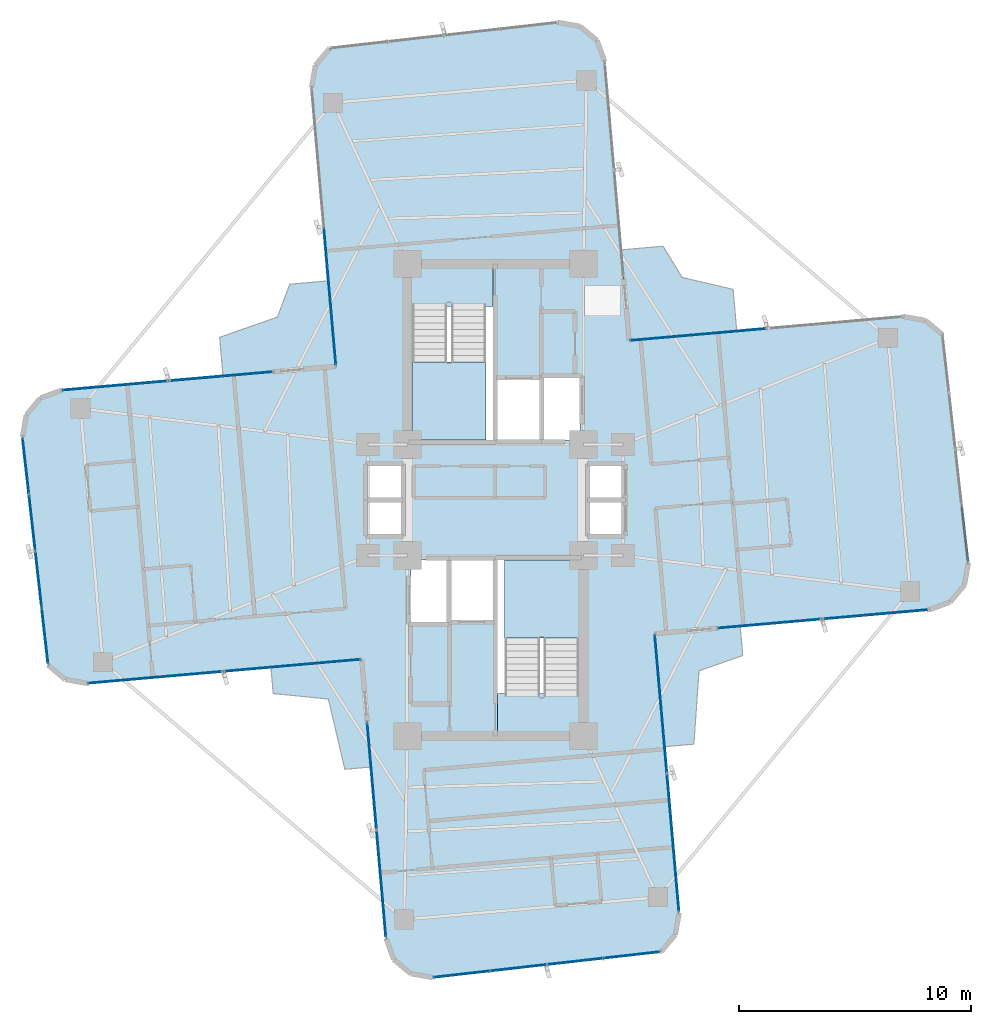
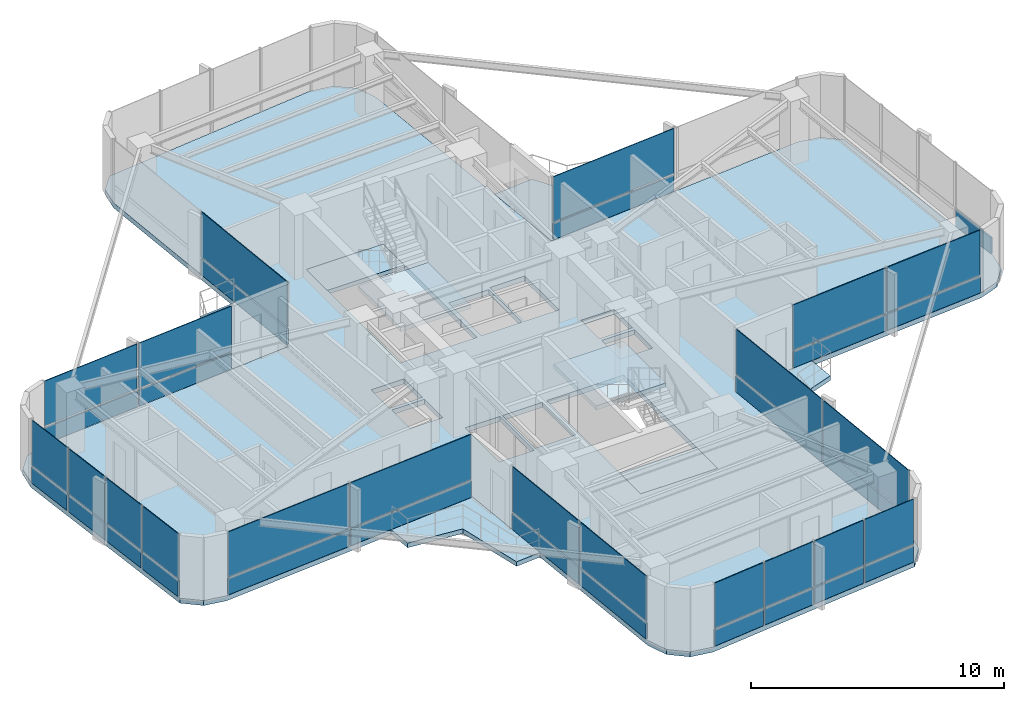
# One storey, part 19 of 24: 41 plates, 9 slabs, 12 elements without a shape of their own.
"""IFC4 building model written with IfcOpenShell, lengths in metres."""

import ifcopenshell
import ifcopenshell.guid

model = None  # the IFC model being written
_history = None  # IfcOwnerHistory: only IFC2X3 demands one
_inside = {}  # id of a spatial element -> (the spatial element, [elements in it])
_under = {}  # id of a project, library or spatial element -> (it, [spatial elements below it])
_declared = {}  # id of a project -> (the project, [libraries it declares])
_typed = {}  # id of a type object -> (the type object, [elements of that type])
_made_of = {}  # id of a material, layer set ... -> (it, [elements and type objects made of it])


def new_model(schema):
    """Start an empty IFC model of exactly this schema.

    Asked for "IFC4X3", IfcOpenShell would pick the latest addendum, in which some entities
    have other attributes; the version numbers below select the first issue.
    IFC2X3 requires an IfcOwnerHistory on every rooted entity: one is made here for all.
    """
    global model, _history
    if schema == "IFC4X3":
        model = ifcopenshell.file(schema_version=(4, 3, 0, 0))
    else:
        model = ifcopenshell.file(schema=schema)
    _inside.clear()
    _under.clear()
    _declared.clear()
    _typed.clear()
    _made_of.clear()
    _history = None
    if model.schema == "IFC2X3":
        org = make("IfcOrganization", Name="unknown")
        user = make(
            "IfcPersonAndOrganization",
            ThePerson=make("IfcPerson", FamilyName="unknown"),
            TheOrganization=org,
        )
        app = make(
            "IfcApplication",
            ApplicationDeveloper=org,
            Version="unknown",
            ApplicationFullName="unknown",
            ApplicationIdentifier="unknown",
        )
        _history = make(
            "IfcOwnerHistory",
            OwningUser=user,
            OwningApplication=app,
            ChangeAction="ADDED",
            CreationDate=0,
        )
    return model


def make(cls, **values):
    """One entity of the class cls with the attributes given. An attribute that is None is left unset."""
    return model.create_entity(
        cls, **{name: value for name, value in values.items() if value is not None}
    )


def rooted(cls, **values):
    """An entity with a GlobalId (a new one), such as an element, a storey or a relation."""
    return make(cls, GlobalId=ifcopenshell.guid.new(), OwnerHistory=_history, **values)


def si_unit(unit_type, name, prefix=None):
    """IfcSIUnit, for example si_unit("LENGTHUNIT", "METRE", prefix="MILLI")."""
    return make("IfcSIUnit", UnitType=unit_type, Prefix=prefix, Name=name)


def assignment(units):
    """IfcUnitAssignment: the units of a project."""
    return None if units is None else make("IfcUnitAssignment", Units=units)


def point(xyz):
    """IfcCartesianPoint."""
    return None if xyz is None else make("IfcCartesianPoint", Coordinates=xyz)


def direction(xyz):
    """IfcDirection."""
    return None if xyz is None else make("IfcDirection", DirectionRatios=xyz)


def frame(location, z_axis=None, x_axis=None):
    """IfcAxis2Placement3D, a coordinate frame: its origin and axes. An axis left out is left unset."""
    return make(
        "IfcAxis2Placement3D",
        Location=point(location),
        Axis=direction(z_axis),
        RefDirection=direction(x_axis),
    )


def frame_2d(location, x_axis=None):
    """IfcAxis2Placement2D, a coordinate frame in the plane: its origin and x axis."""
    return make(
        "IfcAxis2Placement2D", Location=point(location), RefDirection=direction(x_axis)
    )


def origin():
    """The frame at (0, 0, 0) with its axes left unset."""
    return frame((0.0, 0.0, 0.0))


def origin_2d():
    """The frame at (0, 0) in the plane with its x axis left unset."""
    return frame_2d((0.0, 0.0))


def place(relative_to, where):
    """IfcLocalPlacement: puts the frame where relative to a parent placement (None: the world)."""
    return make(
        "IfcLocalPlacement", PlacementRelTo=relative_to, RelativePlacement=where
    )


def context(
    kind, dimensions, precision=None, world=None, true_north=None, identifier=None
):
    """IfcGeometricRepresentationContext, for example the 3D "Model" context."""
    return make(
        "IfcGeometricRepresentationContext",
        ContextIdentifier=identifier,
        ContextType=kind,
        CoordinateSpaceDimension=dimensions,
        Precision=precision,
        WorldCoordinateSystem=world,
        TrueNorth=true_north,
    )


def subcontext(parent, identifier, kind, view, scale=None):
    """IfcGeometricRepresentationSubContext, for example "Body" below "Model"."""
    return make(
        "IfcGeometricRepresentationSubContext",
        ContextIdentifier=identifier,
        ContextType=kind,
        ParentContext=parent,
        TargetScale=scale,
        TargetView=view,
    )


def project(units=None, contexts=None):
    """IfcProject with its units and contexts."""
    return rooted(
        "IfcProject",
        Name="project",
        RepresentationContexts=contexts,
        UnitsInContext=assignment(units),
    )


def spatial(cls, under=None, at=None, **own):
    """A site, building, storey or space (cls), placed at a placement, below another one or the project."""
    s = rooted(cls, ObjectPlacement=at, **own)
    if under is not None:
        _under.setdefault(under.id(), (under, []))[1].append(s)
    return s


def polyline(points):
    """IfcPolyline through the points."""
    return make("IfcPolyline", Points=[point(p) for p in points])


def profile(cls, at=None, kind="AREA", **sizes):
    """A parametric profile (cls). Its sizes go by their IFC names, for example OverallWidth=200.0."""
    return make(cls, ProfileType=kind, Position=at, **sizes)


def rectangle(**sizes):
    """IfcRectangleProfileDef."""
    return profile("IfcRectangleProfileDef", **sizes)


def outline(outer, holes=None, kind="AREA"):
    """IfcArbitraryClosedProfileDef: a profile drawn as a closed curve; with holes, ...WithVoids."""
    if holes is None:
        return make("IfcArbitraryClosedProfileDef", ProfileType=kind, OuterCurve=outer)
    return make(
        "IfcArbitraryProfileDefWithVoids",
        ProfileType=kind,
        OuterCurve=outer,
        InnerCurves=holes,
    )


def extrude(swept, where, along, depth):
    """IfcExtrudedAreaSolid: the profile swept, set in the frame where, extruded along a direction by depth."""
    return make(
        "IfcExtrudedAreaSolid",
        SweptArea=swept,
        Position=where,
        ExtrudedDirection=direction(along),
        Depth=depth,
    )


def shape(context_of_items, identifier, shape_type, items):
    """IfcShapeRepresentation: the items that make up one representation, for example the "Body"."""
    return make(
        "IfcShapeRepresentation",
        ContextOfItems=context_of_items,
        RepresentationIdentifier=identifier,
        RepresentationType=shape_type,
        Items=items,
    )


def source(mapping_origin, context_of_items, identifier, shape_type, items):
    """IfcRepresentationMap: a shape defined once, which mapped items show again and again."""
    return make(
        "IfcRepresentationMap",
        MappingOrigin=mapping_origin,
        MappedRepresentation=shape(context_of_items, identifier, shape_type, items),
    )


def transform(
    local_origin,
    x_axis=None,
    y_axis=None,
    z_axis=None,
    scale=None,
    scale2=None,
    scale3=None,
    uniform=True,
):
    """IfcCartesianTransformationOperator3D, or its non-uniform kind. x_axis, y_axis, z_axis: its Axis1, 2, 3."""
    if uniform:
        return make(
            "IfcCartesianTransformationOperator3D",
            Axis1=direction(x_axis),
            Axis2=direction(y_axis),
            LocalOrigin=point(local_origin),
            Scale=scale,
            Axis3=direction(z_axis),
        )
    return make(
        "IfcCartesianTransformationOperator3DnonUniform",
        Axis1=direction(x_axis),
        Axis2=direction(y_axis),
        LocalOrigin=point(local_origin),
        Scale=scale,
        Axis3=direction(z_axis),
        Scale2=scale2,
        Scale3=scale3,
    )


def mapped(mapping_source, mapping_target):
    """IfcMappedItem: shows the shape of a source again, moved by a transform."""
    return make(
        "IfcMappedItem", MappingSource=mapping_source, MappingTarget=mapping_target
    )


def material(Name=None, Category=None):
    """IfcMaterial."""
    return make("IfcMaterial", Name=Name, Category=Category)


def layer(
    of_material, thickness, ventilated=None, Name=None, Category=None, Priority=None
):
    """IfcMaterialLayer: one layer of a wall or slab, of a material (None: an air gap)."""
    return make(
        "IfcMaterialLayer",
        Material=of_material,
        LayerThickness=thickness,
        IsVentilated=ventilated,
        Name=Name,
        Category=Category,
        Priority=Priority,
    )


def layer_set(layers, Name=None):
    """IfcMaterialLayerSet."""
    return make("IfcMaterialLayerSet", MaterialLayers=layers, LayerSetName=Name)


def made_of(thing, what):
    """Note that an element or type object is made of a material, layer set ...; save() writes the relation."""
    if what is not None:
        _made_of.setdefault(what.id(), (what, []))[1].append(thing)
    return thing


def type_object(cls, material=None, **own):
    """A type object (cls), such as IfcWallType, which elements share."""
    return made_of(rooted(cls, **own), material)


def element(
    cls,
    number,
    at=None,
    inside=None,
    cuts=None,
    type_object=None,
    material=None,
    context=None,
    identifier="Body",
    shape_type=None,
    held_by="IfcProductDefinitionShape",
    body=None,
    shapes=None,
    **own,
):
    """One element of the class cls, such as IfcWall. Its Tag is "e" and its number.

    at: its placement. inside: the storey or other place that contains it. cuts: it is an
    opening in that element (IfcRelVoidsElement). A single representation is given by context,
    identifier, shape_type and body (its items); several are given by shapes. held_by: the class
    of the entity that holds the representations. save() writes the other relations.
    """
    e = rooted(cls, Tag="e%d" % number, ObjectPlacement=at, **own)
    if body is not None:
        shapes = [shape(context, identifier, shape_type, body)]
    if shapes is not None:
        e.Representation = make(held_by, Representations=shapes)
    if inside is not None:
        _inside.setdefault(inside.id(), (inside, []))[1].append(e)
    if cuts is not None:
        rooted(
            "IfcRelVoidsElement", RelatingBuildingElement=cuts, RelatedOpeningElement=e
        )
    if type_object is not None:
        _typed.setdefault(type_object.id(), (type_object, []))[1].append(e)
    return made_of(e, material)


def aggregate(whole, parts):
    """IfcRelAggregates: a whole, such as a stair, and the parts it consists of."""
    return rooted("IfcRelAggregates", RelatingObject=whole, RelatedObjects=parts)


def save(model, path):
    """Write the relations noted so far, then the file.

    IfcRelAggregates (storeys below a building ...), IfcRelContainedInSpatialStructure (elements
    in a storey), IfcRelDefinesByType, IfcRelAssociatesMaterial and IfcRelDeclares: one each for
    every whole, place, type object, material and project.
    """
    for whole, parts in _under.values():
        aggregate(whole, parts)
    for where, things in _inside.values():
        rooted(
            "IfcRelContainedInSpatialStructure",
            RelatedElements=things,
            RelatingStructure=where,
        )
    for kind, things in _typed.values():
        rooted("IfcRelDefinesByType", RelatedObjects=things, RelatingType=kind)
    for what, things in _made_of.values():
        rooted("IfcRelAssociatesMaterial", RelatedObjects=things, RelatingMaterial=what)
    for by, libraries in _declared.values():
        rooted("IfcRelDeclares", RelatingContext=by, RelatedDefinitions=libraries)
    model.write(path)


model = new_model("IFC4")

# Units and contexts
model_context = context("Model", 3, precision=1e-05, world=origin(), true_north=direction((0.0, 1.0)))
body_context = subcontext(model_context, "Body", "Model", "MODEL_VIEW")
ifc_project = project(units=[si_unit("LENGTHUNIT", "METRE"), si_unit("AREAUNIT", "SQUARE_METRE"), si_unit("VOLUMEUNIT", "CUBIC_METRE"), si_unit("PLANEANGLEUNIT", "RADIAN"), si_unit("MASSUNIT", "GRAM", prefix="KILO")], contexts=[model_context])

# Site, building, storey
site_placement = place(None, origin())
site = spatial("IfcSite", under=ifc_project, at=site_placement, CompositionType="ELEMENT")
building_placement = place(site_placement, origin())
building = spatial("IfcBuilding", under=site, at=building_placement, Name="Sahyath Konkavel Grand Hotel", CompositionType="ELEMENT")
storey_placement = place(building_placement, frame((0.0, 0.0, 147.25)))
storey = spatial("IfcBuildingStorey", under=building, at=storey_placement, Name="L40", CompositionType="ELEMENT", Elevation=147.25)

# Slabs
ifc_material_1 = material(Name="Concrete C40/50", Category="concrete")
ifc_layer_1 = layer(ifc_material_1, 0.239990234375)
ifc_layer_set_1 = layer_set([ifc_layer_1], Name="Concrete C40/50")
slab_type_1 = type_object("IfcSlabType", Name="SLB-240", PredefinedType="FLOOR", material=ifc_layer_set_1)
slab_1_placement = place(storey_placement, frame((0.0, 0.0, -0.239990234375)))
element("IfcSlab", 1, at=slab_1_placement, inside=storey, type_object=slab_type_1, Name="L40 Structural Floor Slab", PredefinedType="FLOOR", context=body_context, shape_type="SweptSolid", body=[
    extrude(outline(polyline([(6.87939453125, -5.7724609375), (18.73388671875, -4.735107421875), (19.6337890625, -4.40771484375), (20.24951171875, -3.674072265625), (20.415771484375, -2.73095703125), (19.3037109375, 7.134521484375), (18.5703125, 7.75), (17.627197265625, 7.91650390625), (5.7724609375, 6.87939453125), (4.7177734375, 18.93310546875), (4.390380859375, 19.8330078125), (3.65673828125, 20.44873046875), (2.713623046875, 20.614990234375), (-7.152099609375, 19.5029296875), (-7.767578125, 18.769287109375), (-7.933837890625, 17.826416015625), (-6.87939453125, 5.7724609375), (-18.73388671875, 4.735107421875), (-19.6337890625, 4.40771484375), (-20.24951171875, 3.674072265625), (-20.415771484375, 2.73095703125), (-19.3037109375, -7.134521484375), (-18.5703125, -7.75), (-17.627197265625, -7.91650390625), (-5.7724609375, -6.87939453125), (-4.7177734375, -18.93310546875), (-4.390380859375, -19.8330078125), (-3.65673828125, -20.44873046875), (-2.713623046875, -20.614990234375), (7.152099609375, -19.5029296875), (7.767578125, -18.769287109375), (7.933837890625, -17.826416015625), (6.87939453125, -5.7724609375)]), holes=[polyline([(-3.6201171875, 2.580078125), (-0.10009765625, 2.580078125), (-0.10009765625, 10.02001953125), (-3.6201171875, 10.02001953125), (-3.6201171875, 2.580078125)]), polyline([(0.10009765625, -10.02001953125), (3.6201171875, -10.02001953125), (3.6201171875, -2.580078125), (0.10009765625, -2.580078125), (0.10009765625, -10.02001953125)]), polyline([(0.10009765625, 2.60009765625), (1.949951171875, 2.60009765625), (1.949951171875, 5.199951171875), (0.10009765625, 5.199951171875), (0.10009765625, 2.60009765625)]), polyline([(-1.949951171875, -5.199951171875), (-0.10009765625, -5.199951171875), (-0.10009765625, -2.60009765625), (-1.949951171875, -2.60009765625), (-1.949951171875, -5.199951171875)]), polyline([(2.050048828125, 2.60009765625), (3.64990234375, 2.60009765625), (3.64990234375, 5.300048828125), (2.050048828125, 5.300048828125), (2.050048828125, 2.60009765625)]), polyline([(-3.64990234375, -5.300048828125), (-2.050048828125, -5.300048828125), (-2.050048828125, -2.60009765625), (-3.64990234375, -2.60009765625), (-3.64990234375, -5.300048828125)]), polyline([(4.050048828125, 0.080078125), (5.550048828125, 0.080078125), (5.550048828125, 1.5400390625), (4.050048828125, 1.5400390625), (4.050048828125, 0.080078125)]), polyline([(4.050048828125, -1.5400390625), (5.550048828125, -1.5400390625), (5.550048828125, -0.080078125), (4.050048828125, -0.080078125), (4.050048828125, -1.5400390625)]), polyline([(-5.550048828125, 0.080078125), (-4.050048828125, 0.080078125), (-4.050048828125, 1.5400390625), (-5.550048828125, 1.5400390625), (-5.550048828125, 0.080078125)]), polyline([(-5.550048828125, -1.5400390625), (-4.050048828125, -1.5400390625), (-4.050048828125, -0.080078125), (-5.550048828125, -0.080078125), (-5.550048828125, -1.5400390625)])]), origin(), (0.0, 0.0, 1.0), 0.239990234375),
])
ifc_layer_2 = layer(ifc_material_1, 0.219970703125)
ifc_layer_set_2 = layer_set([ifc_layer_2], Name="Concrete C40/50")
slab_type_2 = type_object("IfcSlabType", Name="SLB-BALCONY-220", PredefinedType="FLOOR", material=ifc_layer_set_2)
slab_2_placement = place(storey_placement, frame((0.0, 0.0, -0.219970703125)))
element("IfcSlab", 2, at=slab_2_placement, inside=storey, type_object=slab_type_2, Name="L40 Winter-Garden Balcony NE", PredefinedType="FLOOR", context=body_context, shape_type="SweptSolid", body=[
    extrude(outline(polyline([(5.7724609375, 6.87939453125), (10.420654296875, 7.285888671875), (10.2626953125, 9.0927734375), (8.062255859375, 9.608154296875), (7.236328125, 10.956298828125), (5.429443359375, 10.79833984375), (5.7724609375, 6.87939453125)])), origin(), (0.0, 0.0, 1.0), 0.219970703125),
])
slab_3_placement = place(storey_placement, frame((0.0, 0.0, -0.219970703125)))
element("IfcSlab", 3, at=slab_3_placement, inside=storey, type_object=slab_type_2, Name="L40 Winter-Garden Balcony NW", PredefinedType="FLOOR", context=body_context, shape_type="SweptSolid", body=[
    extrude(outline(polyline([(-6.87939453125, 5.7724609375), (-7.201904296875, 9.461181640625), (-8.87841796875, 9.314697265625), (-9.4111328125, 7.896728515625), (-11.904296875, 7.021728515625), (-11.757568359375, 5.345703125), (-6.87939453125, 5.7724609375)])), origin(), (0.0, 0.0, 1.0), 0.219970703125),
])
slab_4_placement = place(storey_placement, frame((0.0, 0.0, -0.219970703125)))
element("IfcSlab", 4, at=slab_4_placement, inside=storey, type_object=slab_type_2, Name="L40 Winter-Garden Balcony SW", PredefinedType="FLOOR", context=body_context, shape_type="SweptSolid", body=[
    extrude(outline(polyline([(-5.7724609375, -6.87939453125), (-9.69140625, -7.22216796875), (-9.59228515625, -8.356201171875), (-7.209716796875, -8.592041015625), (-6.499755859375, -11.626708984375), (-5.36572265625, -11.527587890625), (-5.7724609375, -6.87939453125)])), origin(), (0.0, 0.0, 1.0), 0.219970703125),
])
slab_5_placement = place(storey_placement, frame((0.0, 0.0, -0.219970703125)))
element("IfcSlab", 5, at=slab_5_placement, inside=storey, type_object=slab_type_2, Name="L40 Winter-Garden Balcony SE", PredefinedType="FLOOR", context=body_context, shape_type="SweptSolid", body=[
    extrude(outline(polyline([(6.87939453125, -5.7724609375), (7.30615234375, -10.65087890625), (8.570556640625, -10.5400390625), (8.789306640625, -7.375), (10.6787109375, -6.714111328125), (10.568115234375, -5.44970703125), (6.87939453125, -5.7724609375)])), origin(), (0.0, 0.0, 1.0), 0.219970703125),
])

# Stair, slab
stair_type = type_object("IfcStairType", Name="STR-ST16-335", PredefinedType="HALF_TURN_STAIR", material=ifc_material_1)
stair_1_placement = place(storey_placement, origin())
stair_1 = element("IfcStair", 6, at=stair_1_placement, inside=storey, type_object=stair_type, Name="L40 North Core Smokeproof Exit Stair ST-1", PredefinedType="HALF_TURN_STAIR")
ifc_layer_3 = layer(ifc_material_1, 0.199951171875)
ifc_layer_set_3 = layer_set([ifc_layer_3], Name="Concrete C40/50")
slab_type_3 = type_object("IfcSlabType", Name="SLB-STAIR-LND", PredefinedType="LANDING", material=ifc_layer_set_3)
slab_6_placement = place(storey_placement, frame((0.0, 0.0, 1.47509765625)))
slab_6 = element("IfcSlab", 7, at=slab_6_placement, type_object=slab_type_3, Name="ST-1 landing 1", PredefinedType="LANDING", context=body_context, shape_type="SweptSolid", body=[
    extrude(outline(polyline([(-3.60009765625, 5.9599609375), (-3.60009765625, 2.60009765625), (-0.39990234375, 2.60009765625), (-0.39990234375, 5.9599609375), (-3.60009765625, 5.9599609375)])), origin(), (0.0, 0.0, 1.0), 0.199951171875),
])
aggregate(stair_1, [slab_6])

stair_2_placement = place(storey_placement, origin())
stair_2 = element("IfcStair", 8, at=stair_2_placement, inside=storey, type_object=stair_type, Name="L40 South Core Smokeproof Exit Stair ST-2", PredefinedType="HALF_TURN_STAIR")
slab_7_placement = place(storey_placement, frame((0.0, 0.0, 1.47509765625)))
slab_7 = element("IfcSlab", 9, at=slab_7_placement, type_object=slab_type_3, Name="ST-2 landing 1", PredefinedType="LANDING", context=body_context, shape_type="SweptSolid", body=[
    extrude(outline(polyline([(3.60009765625, -5.9599609375), (3.60009765625, -2.60009765625), (0.39990234375, -2.60009765625), (0.39990234375, -5.9599609375), (3.60009765625, -5.9599609375)])), origin(), (0.0, 0.0, 1.0), 0.199951171875),
])
aggregate(stair_2, [slab_7])

# Slabs
slab_8_placement = place(storey_placement, frame((0.0, 0.0, -0.199951171875)))
element("IfcSlab", 10, at=slab_8_placement, inside=storey, type_object=slab_type_3, Name="L40 Stair ST-1 Floor Landing Slab", PredefinedType="LANDING", context=body_context, shape_type="SweptSolid", body=[
    extrude(outline(polyline([(-3.6201171875, 8.35009765625), (-0.10009765625, 8.35009765625), (-0.10009765625, 10.02001953125), (-3.6201171875, 10.02001953125), (-3.6201171875, 8.35009765625)])), origin(), (0.0, 0.0, 1.0), 0.199951171875),
])
slab_9_placement = place(storey_placement, frame((0.0, 0.0, -0.199951171875)))
element("IfcSlab", 11, at=slab_9_placement, inside=storey, type_object=slab_type_3, Name="L40 Stair ST-2 Floor Landing Slab", PredefinedType="LANDING", context=body_context, shape_type="SweptSolid", body=[
    extrude(outline(polyline([(0.10009765625, -10.02001953125), (3.6201171875, -10.02001953125), (3.6201171875, -8.35009765625), (0.10009765625, -8.35009765625), (0.10009765625, -10.02001953125)])), origin(), (0.0, 0.0, 1.0), 0.199951171875),
])

# Curtain wall, plates
ifc_material_2 = material(Name="Anodised Bronze Aluminium & Low-E Glazing", Category="aluminium")
curtain_wall_type = type_object("IfcCurtainWallType", Name="CW-ZONE3", PredefinedType="NOTDEFINED", material=ifc_material_2)
curtain_wall_1_placement = place(storey_placement, origin())
curtain_wall_1 = element("IfcCurtainWall", 12, at=curtain_wall_1_placement, inside=storey, type_object=curtain_wall_type, Name="L40 Unitised Curtain Wall F0", PredefinedType="NOTDEFINED")
ifc_material_3 = material(Name="Warm Buff Sandstone Cladding", Category="masonry")
ifc_layer_4 = layer(ifc_material_3, 0.074951171875)
ifc_layer_set_4 = layer_set([ifc_layer_4], Name="Warm Buff Sandstone Cladding")
plate_type_1 = type_object("IfcPlateType", Name="PNL-SPANDREL-STONE", PredefinedType="SHEET", material=ifc_layer_set_4)
shared_shape_1 = source(origin(), body_context, "Body", "SweptSolid", [
    extrude(rectangle(XDim=4.47998046875, YDim=0.074951171875, at=origin_2d()), origin(), (0.0, 0.0, 1.0), 0.77001953125),
])
plate_1_placement = place(storey_placement, frame((11.880126953125, -5.334716796875, 0.0400390625), z_axis=(0.0, 0.0, 1.0), x_axis=(0.996194698092, 0.087155742748, 0.0)))
plate_1 = element("IfcPlate", 13, at=plate_1_placement, type_object=plate_type_1, Name="L40 Sandstone Relief Spandrel Panel F0-0", PredefinedType="SHEET", context=body_context, shape_type="MappedRepresentation", body=[
    mapped(shared_shape_1, transform((0.0, 0.0, 0.0), scale=1.0)),
])
plate_2_placement = place(storey_placement, frame((16.4228515625, -4.9375, 0.0400390625), z_axis=(0.0, 0.0, 1.0), x_axis=(0.996194698092, 0.087155742748, 0.0)))
plate_2 = element("IfcPlate", 14, at=plate_2_placement, type_object=plate_type_1, Name="L40 Sandstone Relief Spandrel Panel F0-1", PredefinedType="SHEET", context=body_context, shape_type="MappedRepresentation", body=[
    mapped(shared_shape_1, transform((0.0, 0.0, 0.0), scale=1.0)),
])

curtain_wall_2_placement = place(storey_placement, origin())
curtain_wall_2 = element("IfcCurtainWall", 15, at=curtain_wall_2_placement, inside=storey, type_object=curtain_wall_type, Name="L40 Unitised Curtain Wall F16", PredefinedType="NOTDEFINED")
plate_3_placement = place(storey_placement, frame((-11.880126953125, 5.334716796875, 0.0400390625), z_axis=(0.0, 0.0, 1.0), x_axis=(-0.996194698092, -0.087155742748, 0.0)))
plate_3 = element("IfcPlate", 16, at=plate_3_placement, type_object=plate_type_1, Name="L40 Sandstone Relief Spandrel Panel F16-0", PredefinedType="SHEET", context=body_context, shape_type="MappedRepresentation", body=[
    mapped(shared_shape_1, transform((0.0, 0.0, 0.0), scale=1.0)),
])
plate_4_placement = place(storey_placement, frame((-16.4228515625, 4.9375, 0.0400390625), z_axis=(0.0, 0.0, 1.0), x_axis=(-0.996194698092, -0.087155742748, 0.0)))
plate_4 = element("IfcPlate", 17, at=plate_4_placement, type_object=plate_type_1, Name="L40 Sandstone Relief Spandrel Panel F16-1", PredefinedType="SHEET", context=body_context, shape_type="MappedRepresentation", body=[
    mapped(shared_shape_1, transform((0.0, 0.0, 0.0), scale=1.0)),
])

# Curtain wall, plate
curtain_wall_3_placement = place(storey_placement, origin())
curtain_wall_3 = element("IfcCurtainWall", 18, at=curtain_wall_3_placement, inside=storey, type_object=curtain_wall_type, Name="L40 Unitised Curtain Wall F4", PredefinedType="NOTDEFINED")
shared_shape_2 = source(origin(), body_context, "Body", "SweptSolid", [
    extrude(rectangle(XDim=2.382080078125, YDim=0.074951171875, at=origin_2d()), origin(), (0.0, 0.0, 1.0), 0.77001953125),
])
plate_5_placement = place(storey_placement, frame((20.2734375, -1.468017578125, 0.0400390625), z_axis=(0.0, 0.0, 1.0), x_axis=(-0.111989252568, 0.993709417943, 0.0)))
plate_5 = element("IfcPlate", 19, at=plate_5_placement, type_object=plate_type_1, Name="L40 Sandstone Relief Spandrel Panel F4-0", PredefinedType="SHEET", context=body_context, shape_type="MappedRepresentation", body=[
    mapped(shared_shape_2, transform((0.0, 0.0, 0.0), scale=1.0)),
])
aggregate(curtain_wall_3, [plate_5])

# Curtain wall, plates
curtain_wall_4_placement = place(storey_placement, origin())
curtain_wall_4 = element("IfcCurtainWall", 20, at=curtain_wall_4_placement, inside=storey, type_object=curtain_wall_type, Name="L40 Unitised Curtain Wall F20", PredefinedType="NOTDEFINED")
plate_6_placement = place(storey_placement, frame((-20.2734375, 1.468017578125, 0.0400390625), z_axis=(0.0, 0.0, 1.0), x_axis=(0.111989252568, -0.993709417943, 0.0)))
plate_6 = element("IfcPlate", 21, at=plate_6_placement, type_object=plate_type_1, Name="L40 Sandstone Relief Spandrel Panel F20-0", PredefinedType="SHEET", context=body_context, shape_type="MappedRepresentation", body=[
    mapped(shared_shape_2, transform((0.0, 0.0, 0.0), scale=1.0)),
])
plate_7_placement = place(storey_placement, frame((-19.99755859375, -0.978515625, 0.0400390625), z_axis=(0.0, 0.0, 1.0), x_axis=(0.111989252568, -0.993709417943, 0.0)))
plate_7 = element("IfcPlate", 22, at=plate_7_placement, type_object=plate_type_1, Name="L40 Sandstone Relief Spandrel Panel F20-1", PredefinedType="SHEET", context=body_context, shape_type="MappedRepresentation", body=[
    mapped(shared_shape_2, transform((0.0, 0.0, 0.0), scale=1.0)),
])
plate_8_placement = place(storey_placement, frame((-19.7216796875, -3.425048828125, 0.0400390625), z_axis=(0.0, 0.0, 1.0), x_axis=(0.111989252568, -0.993709417943, 0.0)))
plate_8 = element("IfcPlate", 23, at=plate_8_placement, type_object=plate_type_1, Name="L40 Sandstone Relief Spandrel Panel F20-2", PredefinedType="SHEET", context=body_context, shape_type="MappedRepresentation", body=[
    mapped(shared_shape_2, transform((0.0, 0.0, 0.0), scale=1.0)),
])
plate_9_placement = place(storey_placement, frame((-19.446044921875, -5.87158203125, 0.0400390625), z_axis=(0.0, 0.0, 1.0), x_axis=(0.111989252568, -0.993709417943, 0.0)))
plate_9 = element("IfcPlate", 24, at=plate_9_placement, type_object=plate_type_1, Name="L40 Sandstone Relief Spandrel Panel F20-3", PredefinedType="SHEET", context=body_context, shape_type="MappedRepresentation", body=[
    mapped(shared_shape_2, transform((0.0, 0.0, 0.0), scale=1.0)),
])

curtain_wall_5_placement = place(storey_placement, origin())
curtain_wall_5 = element("IfcCurtainWall", 25, at=curtain_wall_5_placement, inside=storey, type_object=curtain_wall_type, Name="L40 Unitised Curtain Wall F28", PredefinedType="NOTDEFINED")
plate_10_placement = place(storey_placement, frame((-1.45068359375, -20.47265625, 0.0400390625), z_axis=(0.0, 0.0, 1.0), x_axis=(0.993707463211, 0.112006596052, 0.0)))
plate_10 = element("IfcPlate", 26, at=plate_10_placement, type_object=plate_type_1, Name="L40 Sandstone Relief Spandrel Panel F28-0", PredefinedType="SHEET", context=body_context, shape_type="MappedRepresentation", body=[
    mapped(shared_shape_2, transform((0.0, 0.0, 0.0), scale=1.0)),
])
plate_11_placement = place(storey_placement, frame((0.995849609375, -20.197021484375, 0.0400390625), z_axis=(0.0, 0.0, 1.0), x_axis=(0.993707463211, 0.112006596052, 0.0)))
plate_11 = element("IfcPlate", 27, at=plate_11_placement, type_object=plate_type_1, Name="L40 Sandstone Relief Spandrel Panel F28-1", PredefinedType="SHEET", context=body_context, shape_type="MappedRepresentation", body=[
    mapped(shared_shape_2, transform((0.0, 0.0, 0.0), scale=1.0)),
])
plate_12_placement = place(storey_placement, frame((3.4423828125, -19.921142578125, 0.0400390625), z_axis=(0.0, 0.0, 1.0), x_axis=(0.993707463211, 0.112006596052, 0.0)))
plate_12 = element("IfcPlate", 28, at=plate_12_placement, type_object=plate_type_1, Name="L40 Sandstone Relief Spandrel Panel F28-2", PredefinedType="SHEET", context=body_context, shape_type="MappedRepresentation", body=[
    mapped(shared_shape_2, transform((0.0, 0.0, 0.0), scale=1.0)),
])
plate_13_placement = place(storey_placement, frame((5.888916015625, -19.6455078125, 0.0400390625), z_axis=(0.0, 0.0, 1.0), x_axis=(0.993707463211, 0.112006596052, 0.0)))
plate_13 = element("IfcPlate", 29, at=plate_13_placement, type_object=plate_type_1, Name="L40 Sandstone Relief Spandrel Panel F28-3", PredefinedType="SHEET", context=body_context, shape_type="MappedRepresentation", body=[
    mapped(shared_shape_2, transform((0.0, 0.0, 0.0), scale=1.0)),
])

# Curtain wall, plate
curtain_wall_6_placement = place(storey_placement, origin())
curtain_wall_6 = element("IfcCurtainWall", 30, at=curtain_wall_6_placement, inside=storey, type_object=curtain_wall_type, Name="L40 Unitised Curtain Wall F7", PredefinedType="NOTDEFINED")
shared_shape_3 = source(origin(), body_context, "Body", "SweptSolid", [
    extrude(rectangle(XDim=5.830078125, YDim=0.074951171875, at=origin_2d()), origin(), (0.0, 0.0, 1.0), 0.77001953125),
])
plate_14_placement = place(storey_placement, frame((8.756103515625, 7.140380859375, 0.0400390625), z_axis=(0.0, 0.0, 1.0), x_axis=(-0.996194698092, -0.087155742748, 0.0)))
plate_14 = element("IfcPlate", 31, at=plate_14_placement, type_object=plate_type_1, Name="L40 Sandstone Relief Spandrel Panel F7-1", PredefinedType="SHEET", context=body_context, shape_type="MappedRepresentation", body=[
    mapped(shared_shape_3, transform((0.0, 0.0, 0.0), scale=1.0)),
])

# Curtain wall, plates
curtain_wall_7_placement = place(storey_placement, origin())
curtain_wall_7 = element("IfcCurtainWall", 32, at=curtain_wall_7_placement, inside=storey, type_object=curtain_wall_type, Name="L40 Unitised Curtain Wall F23", PredefinedType="NOTDEFINED")
plate_15_placement = place(storey_placement, frame((-14.6435546875, -7.655517578125, 0.0400390625), z_axis=(0.0, 0.0, 1.0), x_axis=(0.996194698092, 0.087155742748, 0.0)))
plate_15 = element("IfcPlate", 33, at=plate_15_placement, type_object=plate_type_1, Name="L40 Sandstone Relief Spandrel Panel F23-0", PredefinedType="SHEET", context=body_context, shape_type="MappedRepresentation", body=[
    mapped(shared_shape_3, transform((0.0, 0.0, 0.0), scale=1.0)),
])
plate_16_placement = place(storey_placement, frame((-8.756103515625, -7.140380859375, 0.0400390625), z_axis=(0.0, 0.0, 1.0), x_axis=(0.996194698092, 0.087155742748, 0.0)))
plate_16 = element("IfcPlate", 34, at=plate_16_placement, type_object=plate_type_1, Name="L40 Sandstone Relief Spandrel Panel F23-1", PredefinedType="SHEET", context=body_context, shape_type="MappedRepresentation", body=[
    mapped(shared_shape_3, transform((0.0, 0.0, 0.0), scale=1.0)),
])

curtain_wall_8_placement = place(storey_placement, origin())
curtain_wall_8 = element("IfcCurtainWall", 35, at=curtain_wall_8_placement, inside=storey, type_object=curtain_wall_type, Name="L40 Unitised Curtain Wall F24", PredefinedType="NOTDEFINED")
shared_shape_4 = source(origin(), body_context, "Body", "SweptSolid", [
    extrude(rectangle(XDim=4.580078125, YDim=0.074951171875, at=origin_2d()), origin(), (0.0, 0.0, 1.0), 0.77001953125),
])
plate_17_placement = place(storey_placement, frame((-5.33056640625, -11.929931640625, 0.0400390625), z_axis=(0.0, 0.0, 1.0), x_axis=(0.087155742748, -0.996194698092, 0.0)))
plate_17 = element("IfcPlate", 36, at=plate_17_placement, type_object=plate_type_1, Name="L40 Sandstone Relief Spandrel Panel F24-0", PredefinedType="SHEET", context=body_context, shape_type="MappedRepresentation", body=[
    mapped(shared_shape_4, transform((0.0, 0.0, 0.0), scale=1.0)),
])
plate_18_placement = place(storey_placement, frame((-4.92431640625, -16.572265625, 0.0400390625), z_axis=(0.0, 0.0, 1.0), x_axis=(0.087155742748, -0.996194698092, 0.0)))
plate_18 = element("IfcPlate", 37, at=plate_18_placement, type_object=plate_type_1, Name="L40 Sandstone Relief Spandrel Panel F24-1", PredefinedType="SHEET", context=body_context, shape_type="MappedRepresentation", body=[
    mapped(shared_shape_4, transform((0.0, 0.0, 0.0), scale=1.0)),
])

# Curtain wall, plate
curtain_wall_9_placement = place(storey_placement, origin())
curtain_wall_9 = element("IfcCurtainWall", 38, at=curtain_wall_9_placement, inside=storey, type_object=curtain_wall_type, Name="L40 Unitised Curtain Wall F15", PredefinedType="NOTDEFINED")
shared_shape_5 = source(origin(), body_context, "Body", "SweptSolid", [
    extrude(rectangle(XDim=5.929931640625, YDim=0.074951171875, at=origin_2d()), origin(), (0.0, 0.0, 1.0), 0.77001953125),
])
plate_19_placement = place(storey_placement, frame((-7.144775390625, 8.805908203125, 0.0400390625), z_axis=(0.0, 0.0, 1.0), x_axis=(0.087155742748, -0.996194698092, 0.0)))
plate_19 = element("IfcPlate", 39, at=plate_19_placement, type_object=plate_type_1, Name="L40 Sandstone Relief Spandrel Panel F15-1", PredefinedType="SHEET", context=body_context, shape_type="MappedRepresentation", body=[
    mapped(shared_shape_5, transform((0.0, 0.0, 0.0), scale=1.0)),
])

# Curtain wall, plates
curtain_wall_10_placement = place(storey_placement, origin())
curtain_wall_10 = element("IfcCurtainWall", 40, at=curtain_wall_10_placement, inside=storey, type_object=curtain_wall_type, Name="L40 Unitised Curtain Wall F31", PredefinedType="NOTDEFINED")
plate_20_placement = place(storey_placement, frame((7.66845703125, -14.79296875, 0.0400390625), z_axis=(0.0, 0.0, 1.0), x_axis=(-0.087155742748, 0.996194698092, 0.0)))
plate_20 = element("IfcPlate", 41, at=plate_20_placement, type_object=plate_type_1, Name="L40 Sandstone Relief Spandrel Panel F31-0", PredefinedType="SHEET", context=body_context, shape_type="MappedRepresentation", body=[
    mapped(shared_shape_5, transform((0.0, 0.0, 0.0), scale=1.0)),
])
plate_21_placement = place(storey_placement, frame((7.144775390625, -8.805908203125, 0.0400390625), z_axis=(0.0, 0.0, 1.0), x_axis=(-0.087155742748, 0.996194698092, 0.0)))
plate_21 = element("IfcPlate", 42, at=plate_21_placement, type_object=plate_type_1, Name="L40 Sandstone Relief Spandrel Panel F31-1", PredefinedType="SHEET", context=body_context, shape_type="MappedRepresentation", body=[
    mapped(shared_shape_5, transform((0.0, 0.0, 0.0), scale=1.0)),
])

# Plate
ifc_material_4 = material(Name="Low-E Solar Control Double Glazing", Category="glass")
ifc_layer_5 = layer(ifc_material_4, 0.035888671875)
ifc_layer_set_5 = layer_set([ifc_layer_5], Name="Low-E Solar Control Double Glazing")
plate_type_2 = type_object("IfcPlateType", Name="PNL-VISION-LOWE", PredefinedType="CURTAIN_PANEL", material=ifc_layer_set_5)
shared_shape_6 = source(origin(), body_context, "Body", "SweptSolid", [
    extrude(rectangle(XDim=4.47998046875, YDim=0.035888671875, at=origin_2d()), origin(), (0.0, 0.0, 1.0), 2.179931640625),
])
plate_22_placement = place(storey_placement, frame((11.880126953125, -5.334716796875, 0.89013671875), z_axis=(0.0, 0.0, 1.0), x_axis=(0.996194698092, 0.087155742748, 0.0)))
plate_22 = element("IfcPlate", 43, at=plate_22_placement, type_object=plate_type_2, Name="L40 Low-E Vision Glazing Panel F0-0", PredefinedType="CURTAIN_PANEL", context=body_context, shape_type="MappedRepresentation", body=[
    mapped(shared_shape_6, transform((0.0, 0.0, 0.0), scale=1.0)),
])

plate_23_placement = place(storey_placement, frame((16.4228515625, -4.9375, 0.89013671875), z_axis=(0.0, 0.0, 1.0), x_axis=(0.996194698092, 0.087155742748, 0.0)))
plate_23 = element("IfcPlate", 44, at=plate_23_placement, type_object=plate_type_2, Name="L40 Low-E Vision Glazing Panel F0-1", PredefinedType="CURTAIN_PANEL", context=body_context, shape_type="MappedRepresentation", body=[
    mapped(shared_shape_6, transform((0.0, 0.0, 0.0), scale=1.0)),
])

aggregate(curtain_wall_1, [plate_1, plate_22, plate_2, plate_23])

plate_24_placement = place(storey_placement, frame((-11.880126953125, 5.334716796875, 0.89013671875), z_axis=(0.0, 0.0, 1.0), x_axis=(-0.996194698092, -0.087155742748, 0.0)))
plate_24 = element("IfcPlate", 45, at=plate_24_placement, type_object=plate_type_2, Name="L40 Low-E Vision Glazing Panel F16-0", PredefinedType="CURTAIN_PANEL", context=body_context, shape_type="MappedRepresentation", body=[
    mapped(shared_shape_6, transform((0.0, 0.0, 0.0), scale=1.0)),
])

plate_25_placement = place(storey_placement, frame((-16.4228515625, 4.9375, 0.89013671875), z_axis=(0.0, 0.0, 1.0), x_axis=(-0.996194698092, -0.087155742748, 0.0)))
plate_25 = element("IfcPlate", 46, at=plate_25_placement, type_object=plate_type_2, Name="L40 Low-E Vision Glazing Panel F16-1", PredefinedType="CURTAIN_PANEL", context=body_context, shape_type="MappedRepresentation", body=[
    mapped(shared_shape_6, transform((0.0, 0.0, 0.0), scale=1.0)),
])

aggregate(curtain_wall_2, [plate_3, plate_24, plate_4, plate_25])

shared_shape_7 = source(origin(), body_context, "Body", "SweptSolid", [
    extrude(rectangle(XDim=2.382080078125, YDim=0.035888671875, at=origin_2d()), origin(), (0.0, 0.0, 1.0), 2.179931640625),
])
plate_26_placement = place(storey_placement, frame((-20.2734375, 1.468017578125, 0.89013671875), z_axis=(0.0, 0.0, 1.0), x_axis=(0.111989252568, -0.993709417943, 0.0)))
plate_26 = element("IfcPlate", 47, at=plate_26_placement, type_object=plate_type_2, Name="L40 Low-E Vision Glazing Panel F20-0", PredefinedType="CURTAIN_PANEL", context=body_context, shape_type="MappedRepresentation", body=[
    mapped(shared_shape_7, transform((0.0, 0.0, 0.0), scale=1.0)),
])

plate_27_placement = place(storey_placement, frame((-19.99755859375, -0.978515625, 0.89013671875), z_axis=(0.0, 0.0, 1.0), x_axis=(0.111989252568, -0.993709417943, 0.0)))
plate_27 = element("IfcPlate", 48, at=plate_27_placement, type_object=plate_type_2, Name="L40 Low-E Vision Glazing Panel F20-1", PredefinedType="CURTAIN_PANEL", context=body_context, shape_type="MappedRepresentation", body=[
    mapped(shared_shape_7, transform((0.0, 0.0, 0.0), scale=1.0)),
])

plate_28_placement = place(storey_placement, frame((-19.7216796875, -3.425048828125, 0.89013671875), z_axis=(0.0, 0.0, 1.0), x_axis=(0.111989252568, -0.993709417943, 0.0)))
plate_28 = element("IfcPlate", 49, at=plate_28_placement, type_object=plate_type_2, Name="L40 Low-E Vision Glazing Panel F20-2", PredefinedType="CURTAIN_PANEL", context=body_context, shape_type="MappedRepresentation", body=[
    mapped(shared_shape_7, transform((0.0, 0.0, 0.0), scale=1.0)),
])

plate_29_placement = place(storey_placement, frame((-19.446044921875, -5.87158203125, 0.89013671875), z_axis=(0.0, 0.0, 1.0), x_axis=(0.111989252568, -0.993709417943, 0.0)))
plate_29 = element("IfcPlate", 50, at=plate_29_placement, type_object=plate_type_2, Name="L40 Low-E Vision Glazing Panel F20-3", PredefinedType="CURTAIN_PANEL", context=body_context, shape_type="MappedRepresentation", body=[
    mapped(shared_shape_7, transform((0.0, 0.0, 0.0), scale=1.0)),
])

aggregate(curtain_wall_4, [plate_6, plate_26, plate_7, plate_27, plate_8, plate_28, plate_9, plate_29])

plate_30_placement = place(storey_placement, frame((-1.45068359375, -20.47265625, 0.89013671875), z_axis=(0.0, 0.0, 1.0), x_axis=(0.993707463211, 0.112006596052, 0.0)))
plate_30 = element("IfcPlate", 51, at=plate_30_placement, type_object=plate_type_2, Name="L40 Low-E Vision Glazing Panel F28-0", PredefinedType="CURTAIN_PANEL", context=body_context, shape_type="MappedRepresentation", body=[
    mapped(shared_shape_7, transform((0.0, 0.0, 0.0), scale=1.0)),
])

plate_31_placement = place(storey_placement, frame((0.995849609375, -20.197021484375, 0.89013671875), z_axis=(0.0, 0.0, 1.0), x_axis=(0.993707463211, 0.112006596052, 0.0)))
plate_31 = element("IfcPlate", 52, at=plate_31_placement, type_object=plate_type_2, Name="L40 Low-E Vision Glazing Panel F28-1", PredefinedType="CURTAIN_PANEL", context=body_context, shape_type="MappedRepresentation", body=[
    mapped(shared_shape_7, transform((0.0, 0.0, 0.0), scale=1.0)),
])

plate_32_placement = place(storey_placement, frame((3.4423828125, -19.921142578125, 0.89013671875), z_axis=(0.0, 0.0, 1.0), x_axis=(0.993707463211, 0.112006596052, 0.0)))
plate_32 = element("IfcPlate", 53, at=plate_32_placement, type_object=plate_type_2, Name="L40 Low-E Vision Glazing Panel F28-2", PredefinedType="CURTAIN_PANEL", context=body_context, shape_type="MappedRepresentation", body=[
    mapped(shared_shape_7, transform((0.0, 0.0, 0.0), scale=1.0)),
])

plate_33_placement = place(storey_placement, frame((5.888916015625, -19.6455078125, 0.89013671875), z_axis=(0.0, 0.0, 1.0), x_axis=(0.993707463211, 0.112006596052, 0.0)))
plate_33 = element("IfcPlate", 54, at=plate_33_placement, type_object=plate_type_2, Name="L40 Low-E Vision Glazing Panel F28-3", PredefinedType="CURTAIN_PANEL", context=body_context, shape_type="MappedRepresentation", body=[
    mapped(shared_shape_7, transform((0.0, 0.0, 0.0), scale=1.0)),
])

aggregate(curtain_wall_5, [plate_10, plate_30, plate_11, plate_31, plate_12, plate_32, plate_13, plate_33])

shared_shape_8 = source(origin(), body_context, "Body", "SweptSolid", [
    extrude(rectangle(XDim=5.830078125, YDim=0.035888671875, at=origin_2d()), origin(), (0.0, 0.0, 1.0), 2.179931640625),
])
plate_34_placement = place(storey_placement, frame((8.756103515625, 7.140380859375, 0.89013671875), z_axis=(0.0, 0.0, 1.0), x_axis=(-0.996194698092, -0.087155742748, 0.0)))
plate_34 = element("IfcPlate", 55, at=plate_34_placement, type_object=plate_type_2, Name="L40 Low-E Vision Glazing Panel F7-1", PredefinedType="CURTAIN_PANEL", context=body_context, shape_type="MappedRepresentation", body=[
    mapped(shared_shape_8, transform((0.0, 0.0, 0.0), scale=1.0)),
])

aggregate(curtain_wall_6, [plate_14, plate_34])

plate_35_placement = place(storey_placement, frame((-14.6435546875, -7.655517578125, 0.89013671875), z_axis=(0.0, 0.0, 1.0), x_axis=(0.996194698092, 0.087155742748, 0.0)))
plate_35 = element("IfcPlate", 56, at=plate_35_placement, type_object=plate_type_2, Name="L40 Low-E Vision Glazing Panel F23-0", PredefinedType="CURTAIN_PANEL", context=body_context, shape_type="MappedRepresentation", body=[
    mapped(shared_shape_8, transform((0.0, 0.0, 0.0), scale=1.0)),
])

plate_36_placement = place(storey_placement, frame((-8.756103515625, -7.140380859375, 0.89013671875), z_axis=(0.0, 0.0, 1.0), x_axis=(0.996194698092, 0.087155742748, 0.0)))
plate_36 = element("IfcPlate", 57, at=plate_36_placement, type_object=plate_type_2, Name="L40 Low-E Vision Glazing Panel F23-1", PredefinedType="CURTAIN_PANEL", context=body_context, shape_type="MappedRepresentation", body=[
    mapped(shared_shape_8, transform((0.0, 0.0, 0.0), scale=1.0)),
])

aggregate(curtain_wall_7, [plate_15, plate_35, plate_16, plate_36])

shared_shape_9 = source(origin(), body_context, "Body", "SweptSolid", [
    extrude(rectangle(XDim=4.580078125, YDim=0.035888671875, at=origin_2d()), origin(), (0.0, 0.0, 1.0), 2.179931640625),
])
plate_37_placement = place(storey_placement, frame((-5.33056640625, -11.929931640625, 0.89013671875), z_axis=(0.0, 0.0, 1.0), x_axis=(0.087155742748, -0.996194698092, 0.0)))
plate_37 = element("IfcPlate", 58, at=plate_37_placement, type_object=plate_type_2, Name="L40 Low-E Vision Glazing Panel F24-0", PredefinedType="CURTAIN_PANEL", context=body_context, shape_type="MappedRepresentation", body=[
    mapped(shared_shape_9, transform((0.0, 0.0, 0.0), scale=1.0)),
])

plate_38_placement = place(storey_placement, frame((-4.92431640625, -16.572265625, 0.89013671875), z_axis=(0.0, 0.0, 1.0), x_axis=(0.087155742748, -0.996194698092, 0.0)))
plate_38 = element("IfcPlate", 59, at=plate_38_placement, type_object=plate_type_2, Name="L40 Low-E Vision Glazing Panel F24-1", PredefinedType="CURTAIN_PANEL", context=body_context, shape_type="MappedRepresentation", body=[
    mapped(shared_shape_9, transform((0.0, 0.0, 0.0), scale=1.0)),
])

aggregate(curtain_wall_8, [plate_17, plate_37, plate_18, plate_38])

shared_shape_10 = source(origin(), body_context, "Body", "SweptSolid", [
    extrude(rectangle(XDim=5.929931640625, YDim=0.035888671875, at=origin_2d()), origin(), (0.0, 0.0, 1.0), 2.179931640625),
])
plate_39_placement = place(storey_placement, frame((-7.144775390625, 8.805908203125, 0.89013671875), z_axis=(0.0, 0.0, 1.0), x_axis=(0.087155742748, -0.996194698092, 0.0)))
plate_39 = element("IfcPlate", 60, at=plate_39_placement, type_object=plate_type_2, Name="L40 Low-E Vision Glazing Panel F15-1", PredefinedType="CURTAIN_PANEL", context=body_context, shape_type="MappedRepresentation", body=[
    mapped(shared_shape_10, transform((0.0, 0.0, 0.0), scale=1.0)),
])

aggregate(curtain_wall_9, [plate_19, plate_39])

plate_40_placement = place(storey_placement, frame((7.66845703125, -14.79296875, 0.89013671875), z_axis=(0.0, 0.0, 1.0), x_axis=(-0.087155742748, 0.996194698092, 0.0)))
plate_40 = element("IfcPlate", 61, at=plate_40_placement, type_object=plate_type_2, Name="L40 Low-E Vision Glazing Panel F31-0", PredefinedType="CURTAIN_PANEL", context=body_context, shape_type="MappedRepresentation", body=[
    mapped(shared_shape_10, transform((0.0, 0.0, 0.0), scale=1.0)),
])

plate_41_placement = place(storey_placement, frame((7.144775390625, -8.805908203125, 0.89013671875), z_axis=(0.0, 0.0, 1.0), x_axis=(-0.087155742748, 0.996194698092, 0.0)))
plate_41 = element("IfcPlate", 62, at=plate_41_placement, type_object=plate_type_2, Name="L40 Low-E Vision Glazing Panel F31-1", PredefinedType="CURTAIN_PANEL", context=body_context, shape_type="MappedRepresentation", body=[
    mapped(shared_shape_10, transform((0.0, 0.0, 0.0), scale=1.0)),
])

aggregate(curtain_wall_10, [plate_20, plate_40, plate_21, plate_41])

save(model, "model.ifc")
